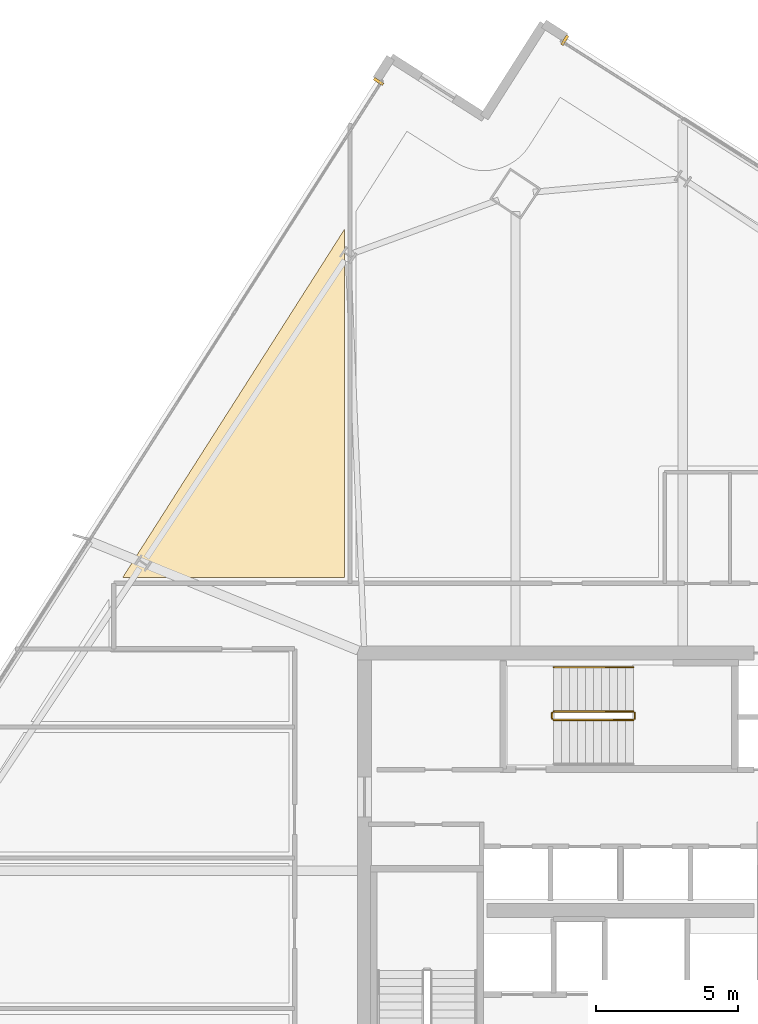
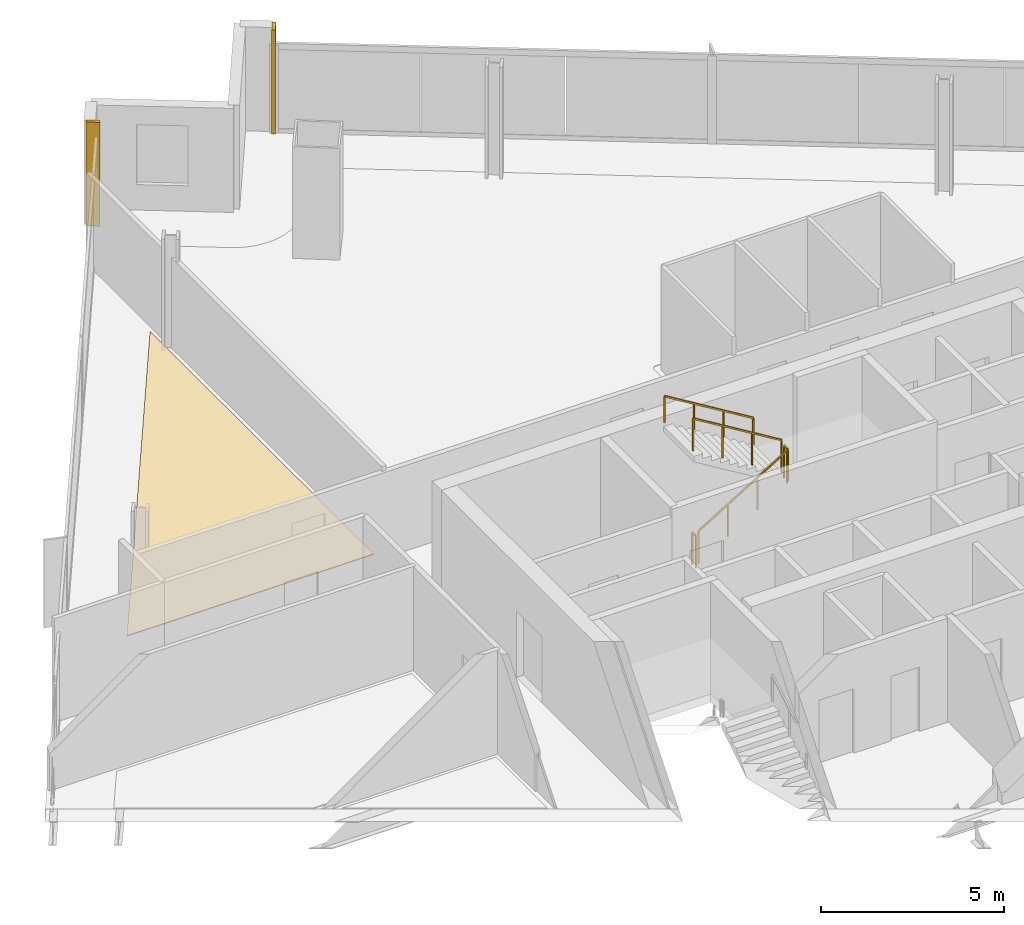
# One storey, part 29 of 30: 5 railings, 3 coverings.
"""IFC4 building model written with IfcOpenShell, lengths in metres."""

from ifc_helpers import new_model, si_unit, direction, frame, origin, origin_2d, place, context, subcontext, project, spatial, polyline, rectangle, outline, extrude, source, transform, mapped, material, layer, layer_set, type_object, element, save


model = new_model("IFC4")

# Units and contexts
model_context = context("Model", 3, precision=1e-05, world=origin(), true_north=direction((0.0, 1.0)))
body_context = subcontext(model_context, "Body", "Model", "MODEL_VIEW")
ifc_project = project(units=[si_unit("LENGTHUNIT", "METRE"), si_unit("AREAUNIT", "SQUARE_METRE"), si_unit("VOLUMEUNIT", "CUBIC_METRE"), si_unit("PLANEANGLEUNIT", "RADIAN"), si_unit("MASSUNIT", "GRAM", prefix="KILO")], contexts=[model_context])

# Site, building, storey
site_placement = place(None, origin())
site = spatial("IfcSite", under=ifc_project, at=site_placement, CompositionType="ELEMENT")
building_placement = place(site_placement, origin())
building = spatial("IfcBuilding", under=site, at=building_placement, Name="Haldenkirk Collegiate Tower", CompositionType="ELEMENT")
storey_placement = place(building_placement, frame((0.0, 0.0, 220.949951171875)))
storey = spatial("IfcBuildingStorey", under=building, at=storey_placement, Name="L55", CompositionType="ELEMENT", Elevation=220.949951171875)

# Covering
ifc_material_1 = material(Name="Engineered collegiate oak acoustic flooring", Category="wood")
ifc_layer_1 = layer(ifc_material_1, 0.02197265625)
ifc_layer_set_1 = layer_set([ifc_layer_1], Name="Engineered collegiate oak acoustic flooring")
covering_type_1 = type_object("IfcCoveringType", Name="COV-FLOOR-TIMBER", PredefinedType="FLOORING", material=ifc_layer_set_1)
covering_placement = place(storey_placement, origin())
element("IfcCovering", 1, at=covering_placement, inside=storey, type_object=covering_type_1, Name="L55 academic room finish 05", PredefinedType="FLOORING", context=body_context, shape_type="SweptSolid", body=[
    extrude(outline(polyline([(26.300048828125, 48.890380859375), (26.300048828125, 36.64990234375), (18.501953125, 36.64990234375), (26.300048828125, 48.890380859375)])), origin(), (0.0, 0.0, 1.0), 0.02197265625),
])

# Railings
ifc_material_2 = material(Name="Painted architectural tubular steel", Category="steel")
railing_type_1 = type_object("IfcRailingType", Name="RLG-STAIR-GUARD-1100", PredefinedType="BALUSTRADE", material=ifc_material_2)
railing_1_placement = place(storey_placement, frame((33.64990234375, 31.64990234375, 0.17041015625)))
element("IfcRailing", 2, at=railing_1_placement, inside=storey, type_object=railing_type_1, Name="L55 ST-3 stair guard 1", PredefinedType="BALUSTRADE", context=body_context, shape_type="SweptSolid", body=[
    extrude(rectangle(XDim=0.048095703125, YDim=0.048095703125, at=origin_2d()), frame((0.0, 0.0, 1.076171875), z_axis=(0.854169791009, 0.0, 0.51999420009), x_axis=(0.0, 1.0, 0.0)), (0.0, 0.0, 1.0), 3.278076171875),
    extrude(rectangle(XDim=0.0419921875, YDim=0.0419921875, at=origin_2d()), origin(), (0.0, 0.0, 1.0), 1.052001953125),
    extrude(rectangle(XDim=0.0419921875, YDim=0.0419921875, at=origin_2d()), frame((0.933349609375, 0.0, 0.568115234375)), (0.0, 0.0, 1.0), 1.052001953125),
    extrude(rectangle(XDim=0.0419921875, YDim=0.0419921875, at=origin_2d()), frame((1.86669921875, 0.0, 1.136474609375)), (0.0, 0.0, 1.0), 1.052001953125),
    extrude(rectangle(XDim=0.0419921875, YDim=0.0419921875, at=origin_2d()), frame((2.800048828125, 0.0, 1.70458984375)), (0.0, 0.0, 1.0), 1.052001953125),
])
railing_2_placement = place(storey_placement, frame((36.5, 31.699951171875, 1.875)))
element("IfcRailing", 3, at=railing_2_placement, inside=storey, type_object=railing_type_1, Name="L55 ST-3 stair guard 2", PredefinedType="BALUSTRADE", context=body_context, shape_type="SweptSolid", body=[
    extrude(rectangle(XDim=0.048095703125, YDim=0.048095703125, at=origin_2d()), frame((0.0, 0.0, 1.076171875), z_axis=(0.0, 1.0, 0.0), x_axis=(-1.0, 0.0, 0.0)), (0.0, 0.0, 1.0), 0.199951171875),
    extrude(rectangle(XDim=0.0419921875, YDim=0.0419921875, at=origin_2d()), origin(), (0.0, 0.0, 1.0), 1.052001953125),
    extrude(rectangle(XDim=0.0419921875, YDim=0.0419921875, at=origin_2d()), frame((0.0, 0.199951171875, 0.0)), (0.0, 0.0, 1.0), 1.052001953125),
])
railing_3_placement = place(storey_placement, frame((36.449951171875, 31.949951171875, 2.04541015625)))
element("IfcRailing", 4, at=railing_3_placement, inside=storey, type_object=railing_type_1, Name="L55 ST-3 stair guard 3", PredefinedType="BALUSTRADE", context=body_context, shape_type="SweptSolid", body=[
    extrude(rectangle(XDim=0.048095703125, YDim=0.048095703125, at=origin_2d()), frame((0.0, 0.0, 1.076171875), z_axis=(-0.854169791009, 0.0, 0.51999420009), x_axis=(0.0, -1.0, 0.0)), (0.0, 0.0, 1.0), 3.278076171875),
    extrude(rectangle(XDim=0.0419921875, YDim=0.0419921875, at=origin_2d()), origin(), (0.0, 0.0, 1.0), 1.052001953125),
    extrude(rectangle(XDim=0.0419921875, YDim=0.0419921875, at=origin_2d()), frame((-0.933349609375, 0.0, 0.568115234375)), (0.0, 0.0, 1.0), 1.052001953125),
    extrude(rectangle(XDim=0.0419921875, YDim=0.0419921875, at=origin_2d()), frame((-1.86669921875, 0.0, 1.136474609375)), (0.0, 0.0, 1.0), 1.052001953125),
    extrude(rectangle(XDim=0.0419921875, YDim=0.0419921875, at=origin_2d()), frame((-2.800048828125, 0.0, 1.70458984375)), (0.0, 0.0, 1.0), 1.052001953125),
])
railing_4_placement = place(storey_placement, frame((33.60009765625, 31.699951171875, 0.0)))
element("IfcRailing", 5, at=railing_4_placement, inside=storey, type_object=railing_type_1, Name="L55 ST-3 stair guard 4", PredefinedType="BALUSTRADE", context=body_context, shape_type="SweptSolid", body=[
    extrude(rectangle(XDim=0.048095703125, YDim=0.048095703125, at=origin_2d()), frame((0.0, 0.0, 1.076171875), z_axis=(0.0, 1.0, 0.0), x_axis=(-1.0, 0.0, 0.0)), (0.0, 0.0, 1.0), 0.199951171875),
    extrude(rectangle(XDim=0.0419921875, YDim=0.0419921875, at=origin_2d()), origin(), (0.0, 0.0, 1.0), 1.052001953125),
    extrude(rectangle(XDim=0.0419921875, YDim=0.0419921875, at=origin_2d()), frame((0.0, 0.199951171875, 0.0)), (0.0, 0.0, 1.0), 1.052001953125),
])
railing_type_2 = type_object("IfcRailingType", Name="RLG-STAIR-HANDRAIL-900", PredefinedType="HANDRAIL", material=ifc_material_2)
railing_5_placement = place(storey_placement, frame((36.449951171875, 33.5, 2.04541015625)))
element("IfcRailing", 6, at=railing_5_placement, inside=storey, type_object=railing_type_2, Name="L55 ST-3 stair handrail 2", PredefinedType="HANDRAIL", context=body_context, shape_type="SweptSolid", body=[
    extrude(rectangle(XDim=0.048095703125, YDim=0.048095703125, at=origin_2d()), frame((0.0, 0.0, 0.8759765625), z_axis=(-0.854169791009, 0.0, 0.51999420009), x_axis=(0.0, -1.0, 0.0)), (0.0, 0.0, 1.0), 3.278076171875),
    extrude(rectangle(XDim=0.0419921875, YDim=0.0419921875, at=origin_2d()), origin(), (0.0, 0.0, 1.0), 0.851806640625),
    extrude(rectangle(XDim=0.0419921875, YDim=0.0419921875, at=origin_2d()), frame((-0.933349609375, 0.0, 0.568115234375)), (0.0, 0.0, 1.0), 0.851806640625),
    extrude(rectangle(XDim=0.0419921875, YDim=0.0419921875, at=origin_2d()), frame((-1.86669921875, 0.0, 1.136474609375)), (0.0, 0.0, 1.0), 0.851806640625),
    extrude(rectangle(XDim=0.0419921875, YDim=0.0419921875, at=origin_2d()), frame((-2.800048828125, 0.0, 1.70458984375)), (0.0, 0.0, 1.0), 0.851806640625),
])

# Coverings
ifc_material_3 = material(Name="Anodised architectural bronze aluminium", Category="aluminium")
ifc_layer_2 = layer(ifc_material_3, 0.06005859375)
ifc_layer_set_2 = layer_set([ifc_layer_2], Name="Anodised architectural bronze aluminium")
covering_type_2 = type_object("IfcCoveringType", Name="COV-CLAD-BRONZE-60", PredefinedType="CLADDING", material=ifc_layer_set_2)
shared_shape = source(origin(), body_context, "Body", "SweptSolid", [
    extrude(rectangle(XDim=0.10009765625, YDim=0.3798828125, at=origin_2d()), origin(), (0.0, 0.0, 1.0), 3.469970703125),
])
for number, where, z_axis, x_axis, name in (
    (7, (34.043701171875, 55.536865234375, 0.0), (0.0, 0.0, 1.0), (0.843391445813, -0.537299608347, 0.0), "L55 recessed curtain-wall bronze jamb closure EJL"),
    (8, (27.499267578125, 54.085693359375, 0.0), (0.0, 0.0, 1.0), (0.537299608347, 0.843391445813, 0.0), "L55 recessed curtain-wall bronze jamb closure NJR"),
):
    element("IfcCovering", number, at=place(storey_placement, frame(where, z_axis=z_axis, x_axis=x_axis)), inside=storey, type_object=covering_type_2, Name=name, PredefinedType="CLADDING", context=body_context, shape_type="MappedRepresentation", body=[
        mapped(shared_shape, transform((0.0, 0.0, 0.0), x_axis=(1.0, 0.0, 0.0), y_axis=(0.0, 1.0, 0.0), z_axis=(0.0, 0.0, 1.0), scale=1.0)),
    ])

save(model, "model.ifc")
